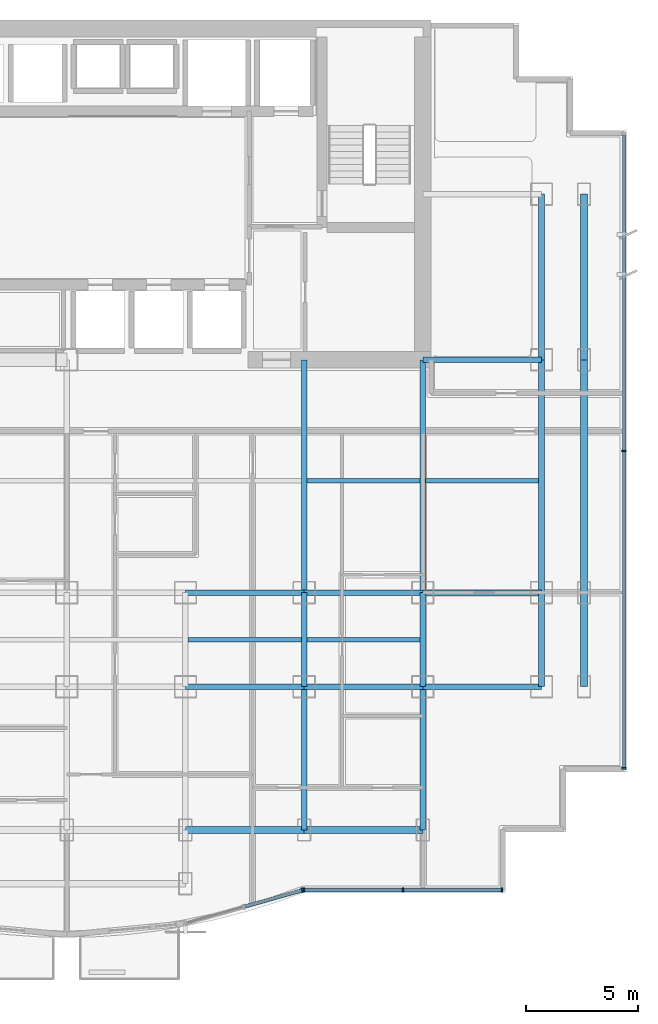
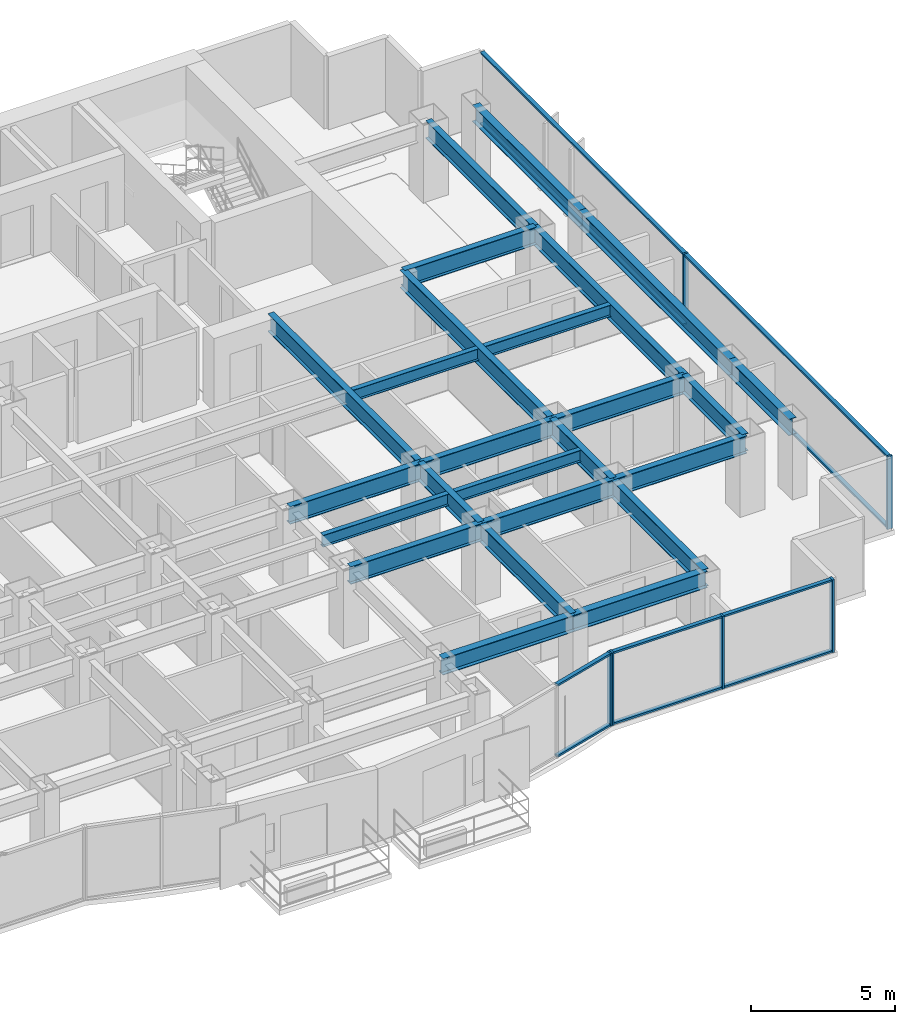
# One storey, part 3 of 12: 25 beams, 16 members, 3 elements without a shape of their own.
"""IFC4 building model written with IfcOpenShell, lengths in metres."""

from ifc_helpers import new_model, si_unit, direction, frame, origin, origin_2d, place, context, subcontext, project, spatial, rectangle, i_section, extrude, source, transform, mapped, material, layer, layer_set, material_profile, profile_set, type_object, element, aggregate, save


model = new_model("IFC4")

# Units and contexts
model_context = context("Model", 3, precision=1e-05, world=origin(), true_north=direction((0.0, 1.0)))
body_context = subcontext(model_context, "Body", "Model", "MODEL_VIEW")
ifc_project = project(units=[si_unit("LENGTHUNIT", "METRE"), si_unit("AREAUNIT", "SQUARE_METRE"), si_unit("VOLUMEUNIT", "CUBIC_METRE"), si_unit("PLANEANGLEUNIT", "RADIAN"), si_unit("MASSUNIT", "GRAM", prefix="KILO")], contexts=[model_context])

# Site, building, storey
site_placement = place(None, origin())
site = spatial("IfcSite", under=ifc_project, at=site_placement, CompositionType="ELEMENT")
building_placement = place(site_placement, origin())
building = spatial("IfcBuilding", under=site, at=building_placement, Name="Qianlan Lanfeng Residences", CompositionType="ELEMENT")
storey_placement = place(building_placement, frame((0.0, 0.0, 101.5)))
storey = spatial("IfcBuildingStorey", under=building, at=storey_placement, Name="L27", CompositionType="ELEMENT", Elevation=101.5)

# Beams
ifc_material_1 = material(Name="Steel SN490B", Category="steel")
ifc_material_profile_1 = material_profile(ifc_material_1, i_section(OverallWidth=0.25, OverallDepth=0.75, WebThickness=0.013916015625, FlangeThickness=0.02490234375, at=origin_2d()), Name="H 750x250x14x25")
ifc_profile_set_1 = profile_set([ifc_material_profile_1], Name="Steel SN490B")
beam_type_1 = type_object("IfcBeamType", Name="G-850", PredefinedType="BEAM", material=ifc_profile_set_1)
beam_1_placement = place(storey_placement, frame((31.800048828125, 10.60009765625, 2.715087890625), z_axis=(1.0, 0.0, 0.0), x_axis=(0.0, 1.0, 0.0)))
element("IfcBeam", 1, at=beam_1_placement, inside=storey, type_object=beam_type_1, Name="Structural beam G-850", PredefinedType="BEAM", context=body_context, shape_type="SweptSolid", body=[
    extrude(i_section(OverallWidth=0.25, OverallDepth=0.75, WebThickness=0.013916015625, FlangeThickness=0.02490234375, at=origin_2d()), origin(), (0.0, 0.0, 1.0), 5.300048828125),
])
beam_2_placement = place(storey_placement, frame((37.10009765625, 10.60009765625, 2.715087890625), z_axis=(1.0, 0.0, 0.0), x_axis=(0.0, 1.0, 0.0)))
element("IfcBeam", 2, at=beam_2_placement, inside=storey, type_object=beam_type_1, Name="Structural beam G-850", PredefinedType="BEAM", context=body_context, shape_type="SweptSolid", body=[
    extrude(i_section(OverallWidth=0.25, OverallDepth=0.75, WebThickness=0.013916015625, FlangeThickness=0.02490234375, at=origin_2d()), origin(), (0.0, 0.0, 1.0), 5.2998046875),
])
for number, where, z_axis, x_axis, name in (
    (3, (42.39990234375, 10.60009765625, 2.715087890625), (1.0, 0.0, 0.0), (0.0, 1.0, 0.0), "Structural beam G-850"),
    (4, (31.800048828125, 14.800048828125, 2.715087890625), (1.0, 0.0, 0.0), (0.0, 1.0, 0.0), "Structural beam G-850"),
):
    element("IfcBeam", number, at=place(storey_placement, frame(where, z_axis=z_axis, x_axis=x_axis)), inside=storey, type_object=beam_type_1, Name=name, PredefinedType="BEAM", context=body_context, shape_type="SweptSolid", body=[
        extrude(i_section(OverallWidth=0.25, OverallDepth=0.75, WebThickness=0.013916015625, FlangeThickness=0.02490234375, at=origin_2d()), origin(), (0.0, 0.0, 1.0), 5.300048828125),
    ])
beam_3_placement = place(storey_placement, frame((37.10009765625, 14.800048828125, 2.715087890625), z_axis=(1.0, 0.0, 0.0), x_axis=(0.0, 1.0, 0.0)))
element("IfcBeam", 5, at=beam_3_placement, inside=storey, type_object=beam_type_1, Name="Structural beam G-850", PredefinedType="BEAM", context=body_context, shape_type="SweptSolid", body=[
    extrude(i_section(OverallWidth=0.25, OverallDepth=0.75, WebThickness=0.013916015625, FlangeThickness=0.02490234375, at=origin_2d()), origin(), (0.0, 0.0, 1.0), 5.2998046875),
])
for number, where, z_axis, x_axis, name in (
    (6, (42.39990234375, 14.800048828125, 2.715087890625), (1.0, 0.0, 0.0), (0.0, 1.0, 0.0), "Structural beam G-850"),
    (7, (42.39990234375, 25.199951171875, 2.715087890625), (1.0, 0.0, 0.0), (0.0, 1.0, 0.0), "Structural beam G-850"),
):
    element("IfcBeam", number, at=place(storey_placement, frame(where, z_axis=z_axis, x_axis=x_axis)), inside=storey, type_object=beam_type_1, Name=name, PredefinedType="BEAM", context=body_context, shape_type="SweptSolid", body=[
        extrude(i_section(OverallWidth=0.25, OverallDepth=0.75, WebThickness=0.013916015625, FlangeThickness=0.02490234375, at=origin_2d()), origin(), (0.0, 0.0, 1.0), 5.300048828125),
    ])
beam_4_placement = place(storey_placement, frame((37.10009765625, 4.199951171875, 2.715087890625), z_axis=(0.0, 1.0, 0.0), x_axis=(-1.0, 0.0, 0.0)))
element("IfcBeam", 8, at=beam_4_placement, inside=storey, type_object=beam_type_1, Name="Structural beam G-850", PredefinedType="BEAM", context=body_context, shape_type="SweptSolid", body=[
    extrude(i_section(OverallWidth=0.25, OverallDepth=0.75, WebThickness=0.013916015625, FlangeThickness=0.02490234375, at=origin_2d()), origin(), (0.0, 0.0, 1.0), 6.400146484375),
])
beam_5_placement = place(storey_placement, frame((37.10009765625, 10.60009765625, 2.715087890625), z_axis=(0.0, 1.0, 0.0), x_axis=(-1.0, 0.0, 0.0)))
element("IfcBeam", 9, at=beam_5_placement, inside=storey, type_object=beam_type_1, Name="Structural beam G-850", PredefinedType="BEAM", context=body_context, shape_type="SweptSolid", body=[
    extrude(i_section(OverallWidth=0.25, OverallDepth=0.75, WebThickness=0.013916015625, FlangeThickness=0.02490234375, at=origin_2d()), origin(), (0.0, 0.0, 1.0), 4.199951171875),
])
beam_6_placement = place(storey_placement, frame((37.10009765625, 14.800048828125, 2.715087890625), z_axis=(0.0, 1.0, 0.0), x_axis=(-1.0, 0.0, 0.0)))
element("IfcBeam", 10, at=beam_6_placement, inside=storey, type_object=beam_type_1, Name="Structural beam G-850", PredefinedType="BEAM", context=body_context, shape_type="SweptSolid", body=[
    extrude(i_section(OverallWidth=0.25, OverallDepth=0.75, WebThickness=0.013916015625, FlangeThickness=0.02490234375, at=origin_2d()), origin(), (0.0, 0.0, 1.0), 10.39990234375),
])
beam_7_placement = place(storey_placement, frame((42.39990234375, 4.199951171875, 2.715087890625), z_axis=(0.0, 1.0, 0.0), x_axis=(-1.0, 0.0, 0.0)))
element("IfcBeam", 11, at=beam_7_placement, inside=storey, type_object=beam_type_1, Name="Structural beam G-850", PredefinedType="BEAM", context=body_context, shape_type="SweptSolid", body=[
    extrude(i_section(OverallWidth=0.25, OverallDepth=0.75, WebThickness=0.013916015625, FlangeThickness=0.02490234375, at=origin_2d()), origin(), (0.0, 0.0, 1.0), 6.400146484375),
])
beam_8_placement = place(storey_placement, frame((42.39990234375, 10.60009765625, 2.715087890625), z_axis=(0.0, 1.0, 0.0), x_axis=(-1.0, 0.0, 0.0)))
element("IfcBeam", 12, at=beam_8_placement, inside=storey, type_object=beam_type_1, Name="Structural beam G-850", PredefinedType="BEAM", context=body_context, shape_type="SweptSolid", body=[
    extrude(i_section(OverallWidth=0.25, OverallDepth=0.75, WebThickness=0.013916015625, FlangeThickness=0.02490234375, at=origin_2d()), origin(), (0.0, 0.0, 1.0), 4.199951171875),
])
beam_9_placement = place(storey_placement, frame((42.39990234375, 14.800048828125, 2.715087890625), z_axis=(0.0, 1.0, 0.0), x_axis=(-1.0, 0.0, 0.0)))
element("IfcBeam", 13, at=beam_9_placement, inside=storey, type_object=beam_type_1, Name="Structural beam G-850", PredefinedType="BEAM", context=body_context, shape_type="SweptSolid", body=[
    extrude(i_section(OverallWidth=0.25, OverallDepth=0.75, WebThickness=0.013916015625, FlangeThickness=0.02490234375, at=origin_2d()), origin(), (0.0, 0.0, 1.0), 10.39990234375),
])
beam_10_placement = place(storey_placement, frame((47.699951171875, 10.60009765625, 2.715087890625), z_axis=(0.0, 1.0, 0.0), x_axis=(-1.0, 0.0, 0.0)))
element("IfcBeam", 14, at=beam_10_placement, inside=storey, type_object=beam_type_1, Name="Structural beam G-850", PredefinedType="BEAM", context=body_context, shape_type="SweptSolid", body=[
    extrude(i_section(OverallWidth=0.25, OverallDepth=0.75, WebThickness=0.013916015625, FlangeThickness=0.02490234375, at=origin_2d()), origin(), (0.0, 0.0, 1.0), 4.199951171875),
])
beam_11_placement = place(storey_placement, frame((47.699951171875, 14.800048828125, 2.715087890625), z_axis=(0.0, 1.0, 0.0), x_axis=(-1.0, 0.0, 0.0)))
element("IfcBeam", 15, at=beam_11_placement, inside=storey, type_object=beam_type_1, Name="Structural beam G-850", PredefinedType="BEAM", context=body_context, shape_type="SweptSolid", body=[
    extrude(i_section(OverallWidth=0.25, OverallDepth=0.75, WebThickness=0.013916015625, FlangeThickness=0.02490234375, at=origin_2d()), origin(), (0.0, 0.0, 1.0), 10.39990234375),
])
beam_12_placement = place(storey_placement, frame((47.699951171875, 25.199951171875, 2.715087890625), z_axis=(0.0, 1.0, 0.0), x_axis=(-1.0, 0.0, 0.0)))
element("IfcBeam", 16, at=beam_12_placement, inside=storey, type_object=beam_type_1, Name="Structural beam G-850", PredefinedType="BEAM", context=body_context, shape_type="SweptSolid", body=[
    extrude(i_section(OverallWidth=0.25, OverallDepth=0.75, WebThickness=0.013916015625, FlangeThickness=0.02490234375, at=origin_2d()), origin(), (0.0, 0.0, 1.0), 7.400146484375),
])
ifc_material_profile_2 = material_profile(ifc_material_1, i_section(OverallWidth=0.199951171875, OverallDepth=0.5, WebThickness=0.010009765625, FlangeThickness=0.01611328125, at=origin_2d()), Name="H 500x200x10x16")
ifc_profile_set_2 = profile_set([ifc_material_profile_2], Name="Steel SN490B")
beam_type_2 = type_object("IfcBeamType", Name="J-500", PredefinedType="JOIST", material=ifc_profile_set_2)
beam_13_placement = place(storey_placement, frame((31.925048828125, 12.699951171875, 2.840087890625), z_axis=(1.0, 0.0, 0.0), x_axis=(0.0, 1.0, 0.0)))
element("IfcBeam", 17, at=beam_13_placement, inside=storey, type_object=beam_type_2, Name="Structural beam J-500", PredefinedType="JOIST", context=body_context, shape_type="SweptSolid", body=[
    extrude(i_section(OverallWidth=0.199951171875, OverallDepth=0.5, WebThickness=0.010009765625, FlangeThickness=0.01611328125, at=origin_2d()), origin(), (0.0, 0.0, 1.0), 5.050048828125),
])
for number, where, z_axis, x_axis, name in (
    (18, (37.22509765625, 12.699951171875, 2.840087890625), (1.0, 0.0, 0.0), (0.0, 1.0, 0.0), "Structural beam J-500"),
    (19, (37.22509765625, 19.800048828125, 2.840087890625), (1.0, 0.0, 0.0), (0.0, 1.0, 0.0), "Structural beam J-500"),
):
    element("IfcBeam", number, at=place(storey_placement, frame(where, z_axis=z_axis, x_axis=x_axis)), inside=storey, type_object=beam_type_2, Name=name, PredefinedType="JOIST", context=body_context, shape_type="SweptSolid", body=[
        extrude(i_section(OverallWidth=0.199951171875, OverallDepth=0.5, WebThickness=0.010009765625, FlangeThickness=0.01611328125, at=origin_2d()), origin(), (0.0, 0.0, 1.0), 5.0498046875),
    ])
beam_14_placement = place(storey_placement, frame((42.52490234375, 19.800048828125, 2.840087890625), z_axis=(1.0, 0.0, 0.0), x_axis=(0.0, 1.0, 0.0)))
element("IfcBeam", 20, at=beam_14_placement, inside=storey, type_object=beam_type_2, Name="Structural beam J-500", PredefinedType="JOIST", context=body_context, shape_type="SweptSolid", body=[
    extrude(i_section(OverallWidth=0.199951171875, OverallDepth=0.5, WebThickness=0.010009765625, FlangeThickness=0.01611328125, at=origin_2d()), origin(), (0.0, 0.0, 1.0), 5.050048828125),
])
ifc_material_profile_3 = material_profile(ifc_material_1, i_section(OverallWidth=0.300048828125, OverallDepth=0.699951171875, WebThickness=0.012939453125, FlangeThickness=0.02392578125, at=origin_2d()), Name="H 700x300x13x24")
ifc_profile_set_3 = profile_set([ifc_material_profile_3], Name="Steel SN490B")
beam_type_3 = type_object("IfcBeamType", Name="SG-750", PredefinedType="SPANDREL", material=ifc_profile_set_3)
beam_15_placement = place(storey_placement, frame((31.800048828125, 4.199951171875, 2.739990234375), z_axis=(1.0, 0.0, 0.0), x_axis=(0.0, 1.0, 0.0)))
element("IfcBeam", 21, at=beam_15_placement, inside=storey, type_object=beam_type_3, Name="Structural beam SG-750", PredefinedType="SPANDREL", context=body_context, shape_type="SweptSolid", body=[
    extrude(i_section(OverallWidth=0.300048828125, OverallDepth=0.699951171875, WebThickness=0.012939453125, FlangeThickness=0.02392578125, at=origin_2d()), origin(), (0.0, 0.0, 1.0), 5.300048828125),
])
beam_16_placement = place(storey_placement, frame((37.10009765625, 4.199951171875, 2.739990234375), z_axis=(1.0, 0.0, 0.0), x_axis=(0.0, 1.0, 0.0)))
element("IfcBeam", 22, at=beam_16_placement, inside=storey, type_object=beam_type_3, Name="Structural beam SG-750", PredefinedType="SPANDREL", context=body_context, shape_type="SweptSolid", body=[
    extrude(i_section(OverallWidth=0.300048828125, OverallDepth=0.699951171875, WebThickness=0.012939453125, FlangeThickness=0.02392578125, at=origin_2d()), origin(), (0.0, 0.0, 1.0), 5.2998046875),
])
beam_17_placement = place(storey_placement, frame((49.60009765625, 10.60009765625, 2.739990234375), z_axis=(0.0, 1.0, 0.0), x_axis=(-1.0, 0.0, 0.0)))
element("IfcBeam", 23, at=beam_17_placement, inside=storey, type_object=beam_type_3, Name="Structural beam SG-750", PredefinedType="SPANDREL", context=body_context, shape_type="SweptSolid", body=[
    extrude(i_section(OverallWidth=0.300048828125, OverallDepth=0.699951171875, WebThickness=0.012939453125, FlangeThickness=0.02392578125, at=origin_2d()), origin(), (0.0, 0.0, 1.0), 4.199951171875),
])
beam_18_placement = place(storey_placement, frame((49.60009765625, 14.800048828125, 2.739990234375), z_axis=(0.0, 1.0, 0.0), x_axis=(-1.0, 0.0, 0.0)))
element("IfcBeam", 24, at=beam_18_placement, inside=storey, type_object=beam_type_3, Name="Structural beam SG-750", PredefinedType="SPANDREL", context=body_context, shape_type="SweptSolid", body=[
    extrude(i_section(OverallWidth=0.300048828125, OverallDepth=0.699951171875, WebThickness=0.012939453125, FlangeThickness=0.02392578125, at=origin_2d()), origin(), (0.0, 0.0, 1.0), 10.39990234375),
])
beam_19_placement = place(storey_placement, frame((49.60009765625, 25.199951171875, 2.739990234375), z_axis=(0.0, 1.0, 0.0), x_axis=(-1.0, 0.0, 0.0)))
element("IfcBeam", 25, at=beam_19_placement, inside=storey, type_object=beam_type_3, Name="Structural beam SG-750", PredefinedType="SPANDREL", context=body_context, shape_type="SweptSolid", body=[
    extrude(i_section(OverallWidth=0.300048828125, OverallDepth=0.699951171875, WebThickness=0.012939453125, FlangeThickness=0.02392578125, at=origin_2d()), origin(), (0.0, 0.0, 1.0), 7.400146484375),
])

# Curtain wall, members
ifc_material_2 = material(Name="Anodised Bronze Aluminium 6063-T6", Category="aluminium")
ifc_layer = layer(ifc_material_2, 0.219970703125)
ifc_layer_set = layer_set([ifc_layer], Name="Anodised Bronze Aluminium 6063-T6")
curtain_wall_type = type_object("IfcCurtainWallType", Name="CW-03", PredefinedType="NOTDEFINED", material=ifc_layer_set)
curtain_wall_1_placement = place(storey_placement, origin())
curtain_wall_1 = element("IfcCurtainWall", 26, at=curtain_wall_1_placement, inside=storey, type_object=curtain_wall_type, Name="L27 Unitised Curtain Wall CWR-L27-04 (CW-03)", PredefinedType="NOTDEFINED")
ifc_material_profile_4 = material_profile(ifc_material_2, rectangle(XDim=0.080078125, YDim=0.159912109375, at=origin_2d()), Name="ALU TRANSOM 80x160")
ifc_profile_set_4 = profile_set([ifc_material_profile_4], Name="Anodised Bronze Aluminium 6063-T6")
member_type_1 = type_object("IfcMemberType", Name="CWT-180", PredefinedType="USERDEFINED", material=ifc_profile_set_4)
shared_shape_1 = source(origin(), body_context, "Body", "SweptSolid", [
    extrude(rectangle(XDim=0.080078125, YDim=0.159912109375, at=origin_2d()), origin(), (0.0, 0.0, 1.0), 4.34033203125),
])
member_1_placement = place(storey_placement, frame((41.5595703125, 1.52001953125, 0.0400390625), z_axis=(1.0, 0.0, 0.0), x_axis=(0.0, 0.0, 1.0)))
member_1 = element("IfcMember", 27, at=member_1_placement, type_object=member_type_1, Name="CWR-L27-04 Transom 2-BOT", ObjectType="TRANSOM", PredefinedType="USERDEFINED", context=body_context, shape_type="MappedRepresentation", body=[
    mapped(shared_shape_1, transform((0.0, 0.0, 0.0), scale=1.0)),
])
member_2_placement = place(storey_placement, frame((41.5595703125, 1.52001953125, 3.050048828125), z_axis=(1.0, 0.0, 0.0), x_axis=(0.0, 0.0, 1.0)))
member_2 = element("IfcMember", 28, at=member_2_placement, type_object=member_type_1, Name="CWR-L27-04 Transom 2-TOP", ObjectType="TRANSOM", PredefinedType="USERDEFINED", context=body_context, shape_type="MappedRepresentation", body=[
    mapped(shared_shape_1, transform((0.0, 0.0, 0.0), scale=1.0)),
])
shared_shape_2 = source(origin(), body_context, "Body", "SweptSolid", [
    extrude(rectangle(XDim=0.080078125, YDim=0.159912109375, at=origin_2d()), origin(), (0.0, 0.0, 1.0), 4.340576171875),
])
member_3_placement = place(storey_placement, frame((37.138916015625, 1.52001953125, 0.0400390625), z_axis=(1.0, 0.0, 0.0), x_axis=(0.0, 0.0, 1.0)))
member_3 = element("IfcMember", 29, at=member_3_placement, type_object=member_type_1, Name="CWR-L27-04 Transom 1-BOT", ObjectType="TRANSOM", PredefinedType="USERDEFINED", context=body_context, shape_type="MappedRepresentation", body=[
    mapped(shared_shape_2, transform((0.0, 0.0, 0.0), scale=1.0)),
])
member_4_placement = place(storey_placement, frame((37.138916015625, 1.52001953125, 3.050048828125), z_axis=(1.0, 0.0, 0.0), x_axis=(0.0, 0.0, 1.0)))
member_4 = element("IfcMember", 30, at=member_4_placement, type_object=member_type_1, Name="CWR-L27-04 Transom 1-TOP", ObjectType="TRANSOM", PredefinedType="USERDEFINED", context=body_context, shape_type="MappedRepresentation", body=[
    mapped(shared_shape_2, transform((0.0, 0.0, 0.0), scale=1.0)),
])

curtain_wall_2_placement = place(storey_placement, origin())
curtain_wall_2 = element("IfcCurtainWall", 31, at=curtain_wall_2_placement, inside=storey, type_object=curtain_wall_type, Name="L27 Unitised Curtain Wall CWR-L27-03 (CW-03)", PredefinedType="NOTDEFINED")
shared_shape_3 = source(origin(), body_context, "Body", "SweptSolid", [
    extrude(rectangle(XDim=0.080078125, YDim=0.159912109375, at=origin_2d()), origin(), (0.0, 0.0, 1.0), 2.63037109375),
])
member_5_placement = place(storey_placement, frame((34.451904296875, 0.77978515625, 0.0400390625), z_axis=(0.961967513886, 0.273163874312, 0.0), x_axis=(0.0, 0.0, 1.0)))
member_5 = element("IfcMember", 32, at=member_5_placement, type_object=member_type_1, Name="CWR-L27-03 Transom 2-BOT", ObjectType="TRANSOM", PredefinedType="USERDEFINED", context=body_context, shape_type="MappedRepresentation", body=[
    mapped(shared_shape_3, transform((0.0, 0.0, 0.0), scale=1.0)),
])
member_6_placement = place(storey_placement, frame((34.451904296875, 0.77978515625, 3.050048828125), z_axis=(0.961967513886, 0.273163874312, 0.0), x_axis=(0.0, 0.0, 1.0)))
member_6 = element("IfcMember", 33, at=member_6_placement, type_object=member_type_1, Name="CWR-L27-03 Transom 2-TOP", ObjectType="TRANSOM", PredefinedType="USERDEFINED", context=body_context, shape_type="MappedRepresentation", body=[
    mapped(shared_shape_3, transform((0.0, 0.0, 0.0), scale=1.0)),
])
ifc_material_profile_5 = material_profile(ifc_material_2, rectangle(XDim=0.080078125, YDim=0.2099609375, at=origin_2d()), Name="ALU MULLION 80x210")
ifc_profile_set_5 = profile_set([ifc_material_profile_5], Name="Anodised Bronze Aluminium 6063-T6")
member_type_2 = type_object("IfcMemberType", Name="CWM-220", PredefinedType="MULLION", material=ifc_profile_set_5)
shared_shape_4 = source(origin(), body_context, "Body", "SweptSolid", [
    extrude(rectangle(XDim=0.080078125, YDim=0.2099609375, at=origin_2d()), origin(), (0.0, 0.0, 1.0), 3.090087890625),
])
member_7_placement = place(storey_placement, frame((37.0205078125, 1.509033203125, 0.0), z_axis=(0.0, 0.0, 1.0), x_axis=(0.961989074302, 0.273087936247, 0.0)))
member_7 = element("IfcMember", 34, at=member_7_placement, type_object=member_type_2, Name="CWR-L27-03 Mullion 3", PredefinedType="MULLION", context=body_context, shape_type="MappedRepresentation", body=[
    mapped(shared_shape_4, transform((0.0, 0.0, 0.0), scale=1.0)),
])
aggregate(curtain_wall_2, [member_7, member_5, member_6])

# Member
member_8_placement = place(storey_placement, frame((37.09912109375, 1.52001953125, 0.0), z_axis=(0.0, 0.0, 1.0), x_axis=(1.0, 0.0, 0.0)))
member_8 = element("IfcMember", 35, at=member_8_placement, type_object=member_type_2, Name="CWR-L27-04 Mullion 1", PredefinedType="MULLION", context=body_context, shape_type="MappedRepresentation", body=[
    mapped(shared_shape_4, transform((0.0, 0.0, 0.0), scale=1.0)),
])

member_9_placement = place(storey_placement, frame((41.51953125, 1.52001953125, 0.0), z_axis=(0.0, 0.0, 1.0), x_axis=(1.0, 0.0, 0.0)))
member_9 = element("IfcMember", 36, at=member_9_placement, type_object=member_type_2, Name="CWR-L27-04 Mullion 2", PredefinedType="MULLION", context=body_context, shape_type="MappedRepresentation", body=[
    mapped(shared_shape_4, transform((0.0, 0.0, 0.0), scale=1.0)),
])

member_10_placement = place(storey_placement, frame((45.93994140625, 1.52001953125, 0.0), z_axis=(0.0, 0.0, 1.0), x_axis=(1.0, 0.0, 0.0)))
member_10 = element("IfcMember", 37, at=member_10_placement, type_object=member_type_2, Name="CWR-L27-04 Mullion 3", PredefinedType="MULLION", context=body_context, shape_type="MappedRepresentation", body=[
    mapped(shared_shape_4, transform((0.0, 0.0, 0.0), scale=1.0)),
])

aggregate(curtain_wall_1, [member_8, member_9, member_10, member_3, member_4, member_1, member_2])

# Curtain wall, members
curtain_wall_3_placement = place(storey_placement, origin())
curtain_wall_3 = element("IfcCurtainWall", 38, at=curtain_wall_3_placement, inside=storey, type_object=curtain_wall_type, Name="L27 Unitised Curtain Wall CWR-L27-05 (CW-03)", PredefinedType="NOTDEFINED")
member_11_placement = place(storey_placement, frame((51.3798828125, 6.9599609375, 0.0), z_axis=(0.0, 0.0, 1.0), x_axis=(0.0, 1.0, 0.0)))
member_11 = element("IfcMember", 39, at=member_11_placement, type_object=member_type_2, Name="CWR-L27-05 Mullion 1", PredefinedType="MULLION", context=body_context, shape_type="MappedRepresentation", body=[
    mapped(shared_shape_4, transform((0.0, 0.0, 0.0), scale=1.0)),
])
member_12_placement = place(storey_placement, frame((51.3798828125, 21.125, 0.0), z_axis=(0.0, 0.0, 1.0), x_axis=(0.0, 1.0, 0.0)))
member_12 = element("IfcMember", 40, at=member_12_placement, type_object=member_type_2, Name="CWR-L27-05 Mullion 2", PredefinedType="MULLION", context=body_context, shape_type="MappedRepresentation", body=[
    mapped(shared_shape_4, transform((0.0, 0.0, 0.0), scale=1.0)),
])
shared_shape_5 = source(origin(), body_context, "Body", "SweptSolid", [
    extrude(rectangle(XDim=0.080078125, YDim=0.159912109375, at=origin_2d()), origin(), (0.0, 0.0, 1.0), 14.0849609375),
])
member_13_placement = place(storey_placement, frame((51.3798828125, 7.0, 0.0400390625), z_axis=(0.0, 1.0, 0.0), x_axis=(0.0, 0.0, 1.0)))
member_13 = element("IfcMember", 41, at=member_13_placement, type_object=member_type_1, Name="CWR-L27-05 Transom 1-BOT", ObjectType="TRANSOM", PredefinedType="USERDEFINED", context=body_context, shape_type="MappedRepresentation", body=[
    mapped(shared_shape_5, transform((0.0, 0.0, 0.0), scale=1.0)),
])
member_14_placement = place(storey_placement, frame((51.3798828125, 7.0, 3.050048828125), z_axis=(0.0, 1.0, 0.0), x_axis=(0.0, 0.0, 1.0)))
member_14 = element("IfcMember", 42, at=member_14_placement, type_object=member_type_1, Name="CWR-L27-05 Transom 1-TOP", ObjectType="TRANSOM", PredefinedType="USERDEFINED", context=body_context, shape_type="MappedRepresentation", body=[
    mapped(shared_shape_5, transform((0.0, 0.0, 0.0), scale=1.0)),
])
member_15_placement = place(storey_placement, frame((51.3798828125, 21.1650390625, 0.0400390625), z_axis=(0.0, 1.0, 0.0), x_axis=(0.0, 0.0, 1.0)))
member_15 = element("IfcMember", 43, at=member_15_placement, type_object=member_type_1, Name="CWR-L27-05 Transom 2-BOT", ObjectType="TRANSOM", PredefinedType="USERDEFINED", context=body_context, shape_type="MappedRepresentation", body=[
    mapped(shared_shape_5, transform((0.0, 0.0, 0.0), scale=1.0)),
])
member_16_placement = place(storey_placement, frame((51.3798828125, 21.1650390625, 3.050048828125), z_axis=(0.0, 1.0, 0.0), x_axis=(0.0, 0.0, 1.0)))
member_16 = element("IfcMember", 44, at=member_16_placement, type_object=member_type_1, Name="CWR-L27-05 Transom 2-TOP", ObjectType="TRANSOM", PredefinedType="USERDEFINED", context=body_context, shape_type="MappedRepresentation", body=[
    mapped(shared_shape_5, transform((0.0, 0.0, 0.0), scale=1.0)),
])
aggregate(curtain_wall_3, [member_11, member_12, member_13, member_14, member_15, member_16])

save(model, "model.ifc")
